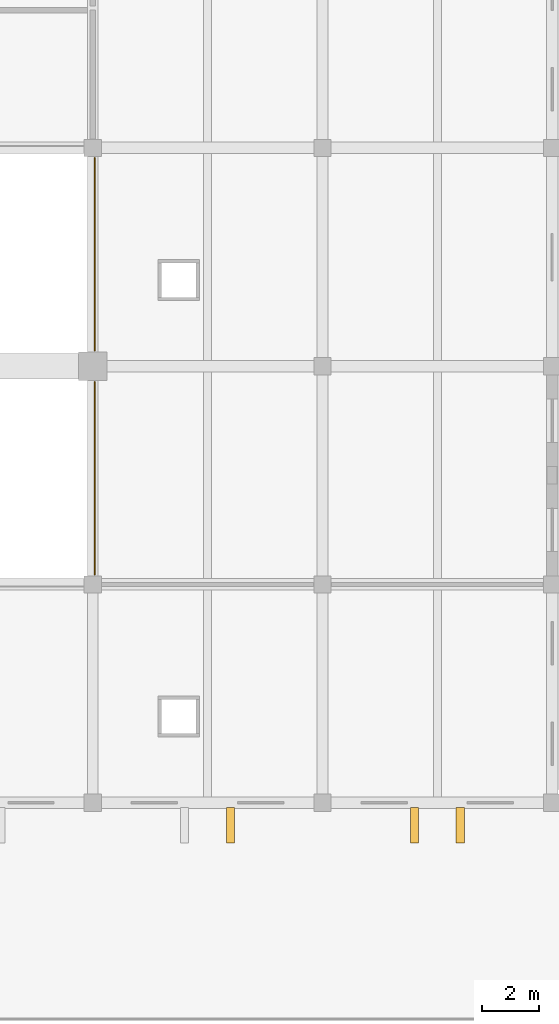
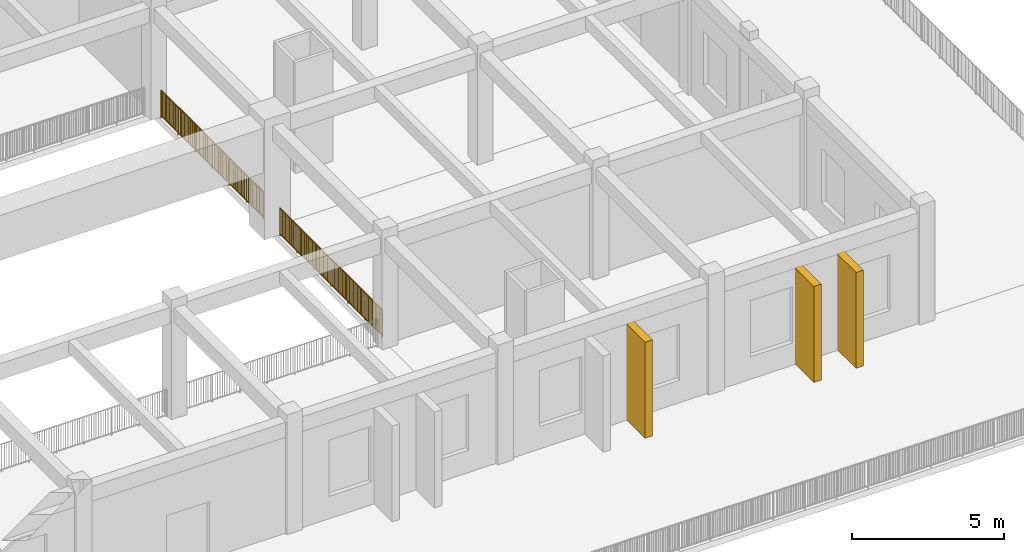
# One storey, part 100 of 101: 3 shading devices, 2 railings.
"""IFC4 building model written with IfcOpenShell, lengths in metres."""

from ifc_helpers import new_model, si_unit, direction, frame, origin, origin_2d, place, context, subcontext, project, spatial, rectangle, circle, extrude, material, type_object, element, save


model = new_model("IFC4")

# Units and contexts
model_context = context("Model", 3, precision=1e-05, world=origin(), true_north=direction((0.0, 1.0)))
body_context = subcontext(model_context, "Body", "Model", "MODEL_VIEW")
ifc_project = project(units=[si_unit("LENGTHUNIT", "METRE"), si_unit("AREAUNIT", "SQUARE_METRE"), si_unit("VOLUMEUNIT", "CUBIC_METRE"), si_unit("PLANEANGLEUNIT", "RADIAN"), si_unit("MASSUNIT", "GRAM", prefix="KILO")], contexts=[model_context])

# Site, building, storey
site_placement = place(None, origin())
site = spatial("IfcSite", under=ifc_project, at=site_placement, CompositionType="ELEMENT")
building_placement = place(site_placement, origin())
building = spatial("IfcBuilding", under=site, at=building_placement, Name="Zantavel Square City Hall", CompositionType="ELEMENT")
storey_placement = place(building_placement, frame((0.0, 0.0, 5.39990234375)))
storey = spatial("IfcBuildingStorey", under=building, at=storey_placement, Name="L02", CompositionType="ELEMENT", Elevation=5.39990234375)

# Railings
ifc_material_1 = material(Name="Steel ASTM A500 Grade B", Category="steel")
railing_type = type_object("IfcRailingType", Name="Atrium & Gallery Steel Guard Railing 1100mm", PredefinedType="GUARDRAIL", material=ifc_material_1)
railing_1_placement = place(storey_placement, frame((144.070068359375, 15.5400390625, 0.0)))
element("IfcRailing", 1, at=railing_1_placement, inside=storey, type_object=railing_type, Name="L02 Atrium Void Guard 025", PredefinedType="GUARDRAIL", context=body_context, shape_type="SweptSolid", body=[
    extrude(circle(Radius=0.02392578125, at=origin_2d()), frame((0.0, 0.0, 1.09619140625), z_axis=(0.0, 1.0, 0.0), x_axis=(-1.0, 0.0, 0.0)), (0.0, 0.0, 1.0), 6.719970703125),
    extrude(rectangle(XDim=0.031982421875, YDim=0.031982421875, at=origin_2d()), frame((0.0, 0.0, 0.080078125), z_axis=(0.0, 1.0, 0.0), x_axis=(-1.0, 0.0, 0.0)), (0.0, 0.0, 1.0), 6.719970703125),
    extrude(rectangle(XDim=0.02197265625, YDim=0.02197265625, at=origin_2d()), frame((0.0, 0.089599609375, 0.080078125)), (0.0, 0.0, 1.0), 0.991943359375),
    extrude(rectangle(XDim=0.02197265625, YDim=0.02197265625, at=origin_2d()), frame((0.0, 0.17919921875, 0.080078125)), (0.0, 0.0, 1.0), 0.991943359375),
    extrude(rectangle(XDim=0.02197265625, YDim=0.02197265625, at=origin_2d()), frame((0.0, 0.268798828125, 0.080078125)), (0.0, 0.0, 1.0), 0.991943359375),
    extrude(rectangle(XDim=0.02197265625, YDim=0.02197265625, at=origin_2d()), frame((0.0, 0.3583984375, 0.080078125)), (0.0, 0.0, 1.0), 0.991943359375),
    extrude(rectangle(XDim=0.02197265625, YDim=0.02197265625, at=origin_2d()), frame((0.0, 0.447998046875, 0.080078125)), (0.0, 0.0, 1.0), 0.991943359375),
    extrude(rectangle(XDim=0.02197265625, YDim=0.02197265625, at=origin_2d()), frame((0.0, 0.53759765625, 0.080078125)), (0.0, 0.0, 1.0), 0.991943359375),
    extrude(rectangle(XDim=0.02197265625, YDim=0.02197265625, at=origin_2d()), frame((0.0, 0.627197265625, 0.080078125)), (0.0, 0.0, 1.0), 0.991943359375),
    extrude(rectangle(XDim=0.02197265625, YDim=0.02197265625, at=origin_2d()), frame((0.0, 0.716796875, 0.080078125)), (0.0, 0.0, 1.0), 0.991943359375),
    extrude(rectangle(XDim=0.02197265625, YDim=0.02197265625, at=origin_2d()), frame((0.0, 0.806396484375, 0.080078125)), (0.0, 0.0, 1.0), 0.991943359375),
    extrude(rectangle(XDim=0.02197265625, YDim=0.02197265625, at=origin_2d()), frame((0.0, 0.89599609375, 0.080078125)), (0.0, 0.0, 1.0), 0.991943359375),
    extrude(rectangle(XDim=0.02197265625, YDim=0.02197265625, at=origin_2d()), frame((0.0, 0.985595703125, 0.080078125)), (0.0, 0.0, 1.0), 0.991943359375),
    extrude(rectangle(XDim=0.02197265625, YDim=0.02197265625, at=origin_2d()), frame((0.0, 1.25439453125, 0.080078125)), (0.0, 0.0, 1.0), 0.991943359375),
    extrude(rectangle(XDim=0.02197265625, YDim=0.02197265625, at=origin_2d()), frame((0.0, 1.343994140625, 0.080078125)), (0.0, 0.0, 1.0), 0.991943359375),
    extrude(rectangle(XDim=0.02197265625, YDim=0.02197265625, at=origin_2d()), frame((0.0, 1.43359375, 0.080078125)), (0.0, 0.0, 1.0), 0.991943359375),
    extrude(rectangle(XDim=0.02197265625, YDim=0.02197265625, at=origin_2d()), frame((0.0, 1.523193359375, 0.080078125)), (0.0, 0.0, 1.0), 0.991943359375),
    extrude(rectangle(XDim=0.02197265625, YDim=0.02197265625, at=origin_2d()), frame((0.0, 1.61279296875, 0.080078125)), (0.0, 0.0, 1.0), 0.991943359375),
    extrude(rectangle(XDim=0.02197265625, YDim=0.02197265625, at=origin_2d()), frame((0.0, 1.702392578125, 0.080078125)), (0.0, 0.0, 1.0), 0.991943359375),
    extrude(rectangle(XDim=0.02197265625, YDim=0.02197265625, at=origin_2d()), frame((0.0, 1.7919921875, 0.080078125)), (0.0, 0.0, 1.0), 0.991943359375),
    extrude(rectangle(XDim=0.02197265625, YDim=0.02197265625, at=origin_2d()), frame((0.0, 1.881591796875, 0.080078125)), (0.0, 0.0, 1.0), 0.991943359375),
    extrude(rectangle(XDim=0.02197265625, YDim=0.02197265625, at=origin_2d()), frame((0.0, 1.97119140625, 0.080078125)), (0.0, 0.0, 1.0), 0.991943359375),
    extrude(rectangle(XDim=0.02197265625, YDim=0.02197265625, at=origin_2d()), frame((0.0, 2.060791015625, 0.080078125)), (0.0, 0.0, 1.0), 0.991943359375),
    extrude(rectangle(XDim=0.02197265625, YDim=0.02197265625, at=origin_2d()), frame((0.0, 2.150390625, 0.080078125)), (0.0, 0.0, 1.0), 0.991943359375),
    extrude(rectangle(XDim=0.02197265625, YDim=0.02197265625, at=origin_2d()), frame((0.0, 2.32958984375, 0.080078125)), (0.0, 0.0, 1.0), 0.991943359375),
    extrude(rectangle(XDim=0.02197265625, YDim=0.02197265625, at=origin_2d()), frame((0.0, 2.419189453125, 0.080078125)), (0.0, 0.0, 1.0), 0.991943359375),
    extrude(rectangle(XDim=0.02197265625, YDim=0.02197265625, at=origin_2d()), frame((0.0, 2.5087890625, 0.080078125)), (0.0, 0.0, 1.0), 0.991943359375),
    extrude(rectangle(XDim=0.02197265625, YDim=0.02197265625, at=origin_2d()), frame((0.0, 2.598388671875, 0.080078125)), (0.0, 0.0, 1.0), 0.991943359375),
    extrude(rectangle(XDim=0.02197265625, YDim=0.02197265625, at=origin_2d()), frame((0.0, 2.68798828125, 0.080078125)), (0.0, 0.0, 1.0), 0.991943359375),
    extrude(rectangle(XDim=0.02197265625, YDim=0.02197265625, at=origin_2d()), frame((0.0, 2.777587890625, 0.080078125)), (0.0, 0.0, 1.0), 0.991943359375),
    extrude(rectangle(XDim=0.02197265625, YDim=0.02197265625, at=origin_2d()), frame((0.0, 2.8671875, 0.080078125)), (0.0, 0.0, 1.0), 0.991943359375),
    extrude(rectangle(XDim=0.02197265625, YDim=0.02197265625, at=origin_2d()), frame((0.0, 2.956787109375, 0.080078125)), (0.0, 0.0, 1.0), 0.991943359375),
    extrude(rectangle(XDim=0.02197265625, YDim=0.02197265625, at=origin_2d()), frame((0.0, 3.04638671875, 0.080078125)), (0.0, 0.0, 1.0), 0.991943359375),
    extrude(rectangle(XDim=0.02197265625, YDim=0.02197265625, at=origin_2d()), frame((0.0, 3.135986328125, 0.080078125)), (0.0, 0.0, 1.0), 0.991943359375),
    extrude(rectangle(XDim=0.02197265625, YDim=0.02197265625, at=origin_2d()), frame((0.0, 3.2255859375, 0.080078125)), (0.0, 0.0, 1.0), 0.991943359375),
    extrude(rectangle(XDim=0.02197265625, YDim=0.02197265625, at=origin_2d()), frame((0.0, 3.494384765625, 0.080078125)), (0.0, 0.0, 1.0), 0.991943359375),
    extrude(rectangle(XDim=0.02197265625, YDim=0.02197265625, at=origin_2d()), frame((0.0, 3.583984375, 0.080078125)), (0.0, 0.0, 1.0), 0.991943359375),
    extrude(rectangle(XDim=0.02197265625, YDim=0.02197265625, at=origin_2d()), frame((0.0, 3.673583984375, 0.080078125)), (0.0, 0.0, 1.0), 0.991943359375),
    extrude(rectangle(XDim=0.02197265625, YDim=0.02197265625, at=origin_2d()), frame((0.0, 3.76318359375, 0.080078125)), (0.0, 0.0, 1.0), 0.991943359375),
    extrude(rectangle(XDim=0.02197265625, YDim=0.02197265625, at=origin_2d()), frame((0.0, 3.852783203125, 0.080078125)), (0.0, 0.0, 1.0), 0.991943359375),
    extrude(rectangle(XDim=0.02197265625, YDim=0.02197265625, at=origin_2d()), frame((0.0, 3.9423828125, 0.080078125)), (0.0, 0.0, 1.0), 0.991943359375),
    extrude(rectangle(XDim=0.02197265625, YDim=0.02197265625, at=origin_2d()), frame((0.0, 4.031982421875, 0.080078125)), (0.0, 0.0, 1.0), 0.991943359375),
    extrude(rectangle(XDim=0.02197265625, YDim=0.02197265625, at=origin_2d()), frame((0.0, 4.12158203125, 0.080078125)), (0.0, 0.0, 1.0), 0.991943359375),
    extrude(rectangle(XDim=0.02197265625, YDim=0.02197265625, at=origin_2d()), frame((0.0, 4.211181640625, 0.080078125)), (0.0, 0.0, 1.0), 0.991943359375),
    extrude(rectangle(XDim=0.02197265625, YDim=0.02197265625, at=origin_2d()), frame((0.0, 4.30078125, 0.080078125)), (0.0, 0.0, 1.0), 0.991943359375),
    extrude(rectangle(XDim=0.02197265625, YDim=0.02197265625, at=origin_2d()), frame((0.0, 4.390380859375, 0.080078125)), (0.0, 0.0, 1.0), 0.991943359375),
    extrude(rectangle(XDim=0.02197265625, YDim=0.02197265625, at=origin_2d()), frame((0.0, 4.569580078125, 0.080078125)), (0.0, 0.0, 1.0), 0.991943359375),
    extrude(rectangle(XDim=0.02197265625, YDim=0.02197265625, at=origin_2d()), frame((0.0, 4.6591796875, 0.080078125)), (0.0, 0.0, 1.0), 0.991943359375),
    extrude(rectangle(XDim=0.02197265625, YDim=0.02197265625, at=origin_2d()), frame((0.0, 4.748779296875, 0.080078125)), (0.0, 0.0, 1.0), 0.991943359375),
    extrude(rectangle(XDim=0.02197265625, YDim=0.02197265625, at=origin_2d()), frame((0.0, 4.83837890625, 0.080078125)), (0.0, 0.0, 1.0), 0.991943359375),
    extrude(rectangle(XDim=0.02197265625, YDim=0.02197265625, at=origin_2d()), frame((0.0, 4.927978515625, 0.080078125)), (0.0, 0.0, 1.0), 0.991943359375),
    extrude(rectangle(XDim=0.02197265625, YDim=0.02197265625, at=origin_2d()), frame((0.0, 5.017578125, 0.080078125)), (0.0, 0.0, 1.0), 0.991943359375),
    extrude(rectangle(XDim=0.02197265625, YDim=0.02197265625, at=origin_2d()), frame((0.0, 5.107177734375, 0.080078125)), (0.0, 0.0, 1.0), 0.991943359375),
    extrude(rectangle(XDim=0.02197265625, YDim=0.02197265625, at=origin_2d()), frame((0.0, 5.19677734375, 0.080078125)), (0.0, 0.0, 1.0), 0.991943359375),
    extrude(rectangle(XDim=0.02197265625, YDim=0.02197265625, at=origin_2d()), frame((0.0, 5.286376953125, 0.080078125)), (0.0, 0.0, 1.0), 0.991943359375),
    extrude(rectangle(XDim=0.02197265625, YDim=0.02197265625, at=origin_2d()), frame((0.0, 5.3759765625, 0.080078125)), (0.0, 0.0, 1.0), 0.991943359375),
    extrude(rectangle(XDim=0.02197265625, YDim=0.02197265625, at=origin_2d()), frame((0.0, 5.465576171875, 0.080078125)), (0.0, 0.0, 1.0), 0.991943359375),
    extrude(rectangle(XDim=0.02197265625, YDim=0.02197265625, at=origin_2d()), frame((0.0, 5.734375, 0.080078125)), (0.0, 0.0, 1.0), 0.991943359375),
    extrude(rectangle(XDim=0.02197265625, YDim=0.02197265625, at=origin_2d()), frame((0.0, 5.823974609375, 0.080078125)), (0.0, 0.0, 1.0), 0.991943359375),
    extrude(rectangle(XDim=0.02197265625, YDim=0.02197265625, at=origin_2d()), frame((0.0, 5.91357421875, 0.080078125)), (0.0, 0.0, 1.0), 0.991943359375),
    extrude(rectangle(XDim=0.02197265625, YDim=0.02197265625, at=origin_2d()), frame((0.0, 6.003173828125, 0.080078125)), (0.0, 0.0, 1.0), 0.991943359375),
    extrude(rectangle(XDim=0.02197265625, YDim=0.02197265625, at=origin_2d()), frame((0.0, 6.0927734375, 0.080078125)), (0.0, 0.0, 1.0), 0.991943359375),
    extrude(rectangle(XDim=0.02197265625, YDim=0.02197265625, at=origin_2d()), frame((0.0, 6.182373046875, 0.080078125)), (0.0, 0.0, 1.0), 0.991943359375),
    extrude(rectangle(XDim=0.02197265625, YDim=0.02197265625, at=origin_2d()), frame((0.0, 6.27197265625, 0.080078125)), (0.0, 0.0, 1.0), 0.991943359375),
    extrude(rectangle(XDim=0.02197265625, YDim=0.02197265625, at=origin_2d()), frame((0.0, 6.361572265625, 0.080078125)), (0.0, 0.0, 1.0), 0.991943359375),
    extrude(rectangle(XDim=0.02197265625, YDim=0.02197265625, at=origin_2d()), frame((0.0, 6.451171875, 0.080078125)), (0.0, 0.0, 1.0), 0.991943359375),
    extrude(rectangle(XDim=0.02197265625, YDim=0.02197265625, at=origin_2d()), frame((0.0, 6.540771484375, 0.080078125)), (0.0, 0.0, 1.0), 0.991943359375),
    extrude(rectangle(XDim=0.02197265625, YDim=0.02197265625, at=origin_2d()), frame((0.0, 6.63037109375, 0.080078125)), (0.0, 0.0, 1.0), 0.991943359375),
    extrude(circle(Radius=0.02099609375, at=origin_2d()), origin(), (0.0, 0.0, 1.0), 1.072021484375),
    extrude(circle(Radius=0.02099609375, at=origin_2d()), frame((0.0, 1.1201171875, 0.0)), (0.0, 0.0, 1.0), 1.072021484375),
    extrude(circle(Radius=0.02099609375, at=origin_2d()), frame((0.0, 2.239990234375, 0.0)), (0.0, 0.0, 1.0), 1.072021484375),
    extrude(circle(Radius=0.02099609375, at=origin_2d()), frame((0.0, 3.35986328125, 0.0)), (0.0, 0.0, 1.0), 1.072021484375),
    extrude(circle(Radius=0.02099609375, at=origin_2d()), frame((0.0, 4.47998046875, 0.0)), (0.0, 0.0, 1.0), 1.072021484375),
    extrude(circle(Radius=0.02099609375, at=origin_2d()), frame((0.0, 5.60009765625, 0.0)), (0.0, 0.0, 1.0), 1.072021484375),
    extrude(circle(Radius=0.02099609375, at=origin_2d()), frame((0.0, 6.719970703125, 0.0)), (0.0, 0.0, 1.0), 1.072021484375),
])
railing_2_placement = place(storey_placement, frame((144.070068359375, 23.340087890625, 0.0)))
element("IfcRailing", 2, at=railing_2_placement, inside=storey, type_object=railing_type, Name="L02 Atrium Void Guard 026", PredefinedType="GUARDRAIL", context=body_context, shape_type="SweptSolid", body=[
    extrude(circle(Radius=0.02392578125, at=origin_2d()), frame((0.0, 0.0, 1.09619140625), z_axis=(0.0, 1.0, 0.0), x_axis=(-1.0, 0.0, 0.0)), (0.0, 0.0, 1.0), 6.719970703125),
    extrude(rectangle(XDim=0.031982421875, YDim=0.031982421875, at=origin_2d()), frame((0.0, 0.0, 0.080078125), z_axis=(0.0, 1.0, 0.0), x_axis=(-1.0, 0.0, 0.0)), (0.0, 0.0, 1.0), 6.719970703125),
    extrude(rectangle(XDim=0.02197265625, YDim=0.02197265625, at=origin_2d()), frame((0.0, 0.089599609375, 0.080078125)), (0.0, 0.0, 1.0), 0.991943359375),
    extrude(rectangle(XDim=0.02197265625, YDim=0.02197265625, at=origin_2d()), frame((0.0, 0.17919921875, 0.080078125)), (0.0, 0.0, 1.0), 0.991943359375),
    extrude(rectangle(XDim=0.02197265625, YDim=0.02197265625, at=origin_2d()), frame((0.0, 0.268798828125, 0.080078125)), (0.0, 0.0, 1.0), 0.991943359375),
    extrude(rectangle(XDim=0.02197265625, YDim=0.02197265625, at=origin_2d()), frame((0.0, 0.3583984375, 0.080078125)), (0.0, 0.0, 1.0), 0.991943359375),
    extrude(rectangle(XDim=0.02197265625, YDim=0.02197265625, at=origin_2d()), frame((0.0, 0.447998046875, 0.080078125)), (0.0, 0.0, 1.0), 0.991943359375),
    extrude(rectangle(XDim=0.02197265625, YDim=0.02197265625, at=origin_2d()), frame((0.0, 0.53759765625, 0.080078125)), (0.0, 0.0, 1.0), 0.991943359375),
    extrude(rectangle(XDim=0.02197265625, YDim=0.02197265625, at=origin_2d()), frame((0.0, 0.627197265625, 0.080078125)), (0.0, 0.0, 1.0), 0.991943359375),
    extrude(rectangle(XDim=0.02197265625, YDim=0.02197265625, at=origin_2d()), frame((0.0, 0.716796875, 0.080078125)), (0.0, 0.0, 1.0), 0.991943359375),
    extrude(rectangle(XDim=0.02197265625, YDim=0.02197265625, at=origin_2d()), frame((0.0, 0.806396484375, 0.080078125)), (0.0, 0.0, 1.0), 0.991943359375),
    extrude(rectangle(XDim=0.02197265625, YDim=0.02197265625, at=origin_2d()), frame((0.0, 0.89599609375, 0.080078125)), (0.0, 0.0, 1.0), 0.991943359375),
    extrude(rectangle(XDim=0.02197265625, YDim=0.02197265625, at=origin_2d()), frame((0.0, 0.985595703125, 0.080078125)), (0.0, 0.0, 1.0), 0.991943359375),
    extrude(rectangle(XDim=0.02197265625, YDim=0.02197265625, at=origin_2d()), frame((0.0, 1.25439453125, 0.080078125)), (0.0, 0.0, 1.0), 0.991943359375),
    extrude(rectangle(XDim=0.02197265625, YDim=0.02197265625, at=origin_2d()), frame((0.0, 1.343994140625, 0.080078125)), (0.0, 0.0, 1.0), 0.991943359375),
    extrude(rectangle(XDim=0.02197265625, YDim=0.02197265625, at=origin_2d()), frame((0.0, 1.43359375, 0.080078125)), (0.0, 0.0, 1.0), 0.991943359375),
    extrude(rectangle(XDim=0.02197265625, YDim=0.02197265625, at=origin_2d()), frame((0.0, 1.523193359375, 0.080078125)), (0.0, 0.0, 1.0), 0.991943359375),
    extrude(rectangle(XDim=0.02197265625, YDim=0.02197265625, at=origin_2d()), frame((0.0, 1.61279296875, 0.080078125)), (0.0, 0.0, 1.0), 0.991943359375),
    extrude(rectangle(XDim=0.02197265625, YDim=0.02197265625, at=origin_2d()), frame((0.0, 1.702392578125, 0.080078125)), (0.0, 0.0, 1.0), 0.991943359375),
    extrude(rectangle(XDim=0.02197265625, YDim=0.02197265625, at=origin_2d()), frame((0.0, 1.7919921875, 0.080078125)), (0.0, 0.0, 1.0), 0.991943359375),
    extrude(rectangle(XDim=0.02197265625, YDim=0.02197265625, at=origin_2d()), frame((0.0, 1.881591796875, 0.080078125)), (0.0, 0.0, 1.0), 0.991943359375),
    extrude(rectangle(XDim=0.02197265625, YDim=0.02197265625, at=origin_2d()), frame((0.0, 1.97119140625, 0.080078125)), (0.0, 0.0, 1.0), 0.991943359375),
    extrude(rectangle(XDim=0.02197265625, YDim=0.02197265625, at=origin_2d()), frame((0.0, 2.060791015625, 0.080078125)), (0.0, 0.0, 1.0), 0.991943359375),
    extrude(rectangle(XDim=0.02197265625, YDim=0.02197265625, at=origin_2d()), frame((0.0, 2.150390625, 0.080078125)), (0.0, 0.0, 1.0), 0.991943359375),
    extrude(rectangle(XDim=0.02197265625, YDim=0.02197265625, at=origin_2d()), frame((0.0, 2.32958984375, 0.080078125)), (0.0, 0.0, 1.0), 0.991943359375),
    extrude(rectangle(XDim=0.02197265625, YDim=0.02197265625, at=origin_2d()), frame((0.0, 2.419189453125, 0.080078125)), (0.0, 0.0, 1.0), 0.991943359375),
    extrude(rectangle(XDim=0.02197265625, YDim=0.02197265625, at=origin_2d()), frame((0.0, 2.5087890625, 0.080078125)), (0.0, 0.0, 1.0), 0.991943359375),
    extrude(rectangle(XDim=0.02197265625, YDim=0.02197265625, at=origin_2d()), frame((0.0, 2.598388671875, 0.080078125)), (0.0, 0.0, 1.0), 0.991943359375),
    extrude(rectangle(XDim=0.02197265625, YDim=0.02197265625, at=origin_2d()), frame((0.0, 2.68798828125, 0.080078125)), (0.0, 0.0, 1.0), 0.991943359375),
    extrude(rectangle(XDim=0.02197265625, YDim=0.02197265625, at=origin_2d()), frame((0.0, 2.777587890625, 0.080078125)), (0.0, 0.0, 1.0), 0.991943359375),
    extrude(rectangle(XDim=0.02197265625, YDim=0.02197265625, at=origin_2d()), frame((0.0, 2.8671875, 0.080078125)), (0.0, 0.0, 1.0), 0.991943359375),
    extrude(rectangle(XDim=0.02197265625, YDim=0.02197265625, at=origin_2d()), frame((0.0, 2.956787109375, 0.080078125)), (0.0, 0.0, 1.0), 0.991943359375),
    extrude(rectangle(XDim=0.02197265625, YDim=0.02197265625, at=origin_2d()), frame((0.0, 3.04638671875, 0.080078125)), (0.0, 0.0, 1.0), 0.991943359375),
    extrude(rectangle(XDim=0.02197265625, YDim=0.02197265625, at=origin_2d()), frame((0.0, 3.135986328125, 0.080078125)), (0.0, 0.0, 1.0), 0.991943359375),
    extrude(rectangle(XDim=0.02197265625, YDim=0.02197265625, at=origin_2d()), frame((0.0, 3.2255859375, 0.080078125)), (0.0, 0.0, 1.0), 0.991943359375),
    extrude(rectangle(XDim=0.02197265625, YDim=0.02197265625, at=origin_2d()), frame((0.0, 3.494384765625, 0.080078125)), (0.0, 0.0, 1.0), 0.991943359375),
    extrude(rectangle(XDim=0.02197265625, YDim=0.02197265625, at=origin_2d()), frame((0.0, 3.583984375, 0.080078125)), (0.0, 0.0, 1.0), 0.991943359375),
    extrude(rectangle(XDim=0.02197265625, YDim=0.02197265625, at=origin_2d()), frame((0.0, 3.673583984375, 0.080078125)), (0.0, 0.0, 1.0), 0.991943359375),
    extrude(rectangle(XDim=0.02197265625, YDim=0.02197265625, at=origin_2d()), frame((0.0, 3.76318359375, 0.080078125)), (0.0, 0.0, 1.0), 0.991943359375),
    extrude(rectangle(XDim=0.02197265625, YDim=0.02197265625, at=origin_2d()), frame((0.0, 3.852783203125, 0.080078125)), (0.0, 0.0, 1.0), 0.991943359375),
    extrude(rectangle(XDim=0.02197265625, YDim=0.02197265625, at=origin_2d()), frame((0.0, 3.9423828125, 0.080078125)), (0.0, 0.0, 1.0), 0.991943359375),
    extrude(rectangle(XDim=0.02197265625, YDim=0.02197265625, at=origin_2d()), frame((0.0, 4.031982421875, 0.080078125)), (0.0, 0.0, 1.0), 0.991943359375),
    extrude(rectangle(XDim=0.02197265625, YDim=0.02197265625, at=origin_2d()), frame((0.0, 4.12158203125, 0.080078125)), (0.0, 0.0, 1.0), 0.991943359375),
    extrude(rectangle(XDim=0.02197265625, YDim=0.02197265625, at=origin_2d()), frame((0.0, 4.211181640625, 0.080078125)), (0.0, 0.0, 1.0), 0.991943359375),
    extrude(rectangle(XDim=0.02197265625, YDim=0.02197265625, at=origin_2d()), frame((0.0, 4.30078125, 0.080078125)), (0.0, 0.0, 1.0), 0.991943359375),
    extrude(rectangle(XDim=0.02197265625, YDim=0.02197265625, at=origin_2d()), frame((0.0, 4.390380859375, 0.080078125)), (0.0, 0.0, 1.0), 0.991943359375),
    extrude(rectangle(XDim=0.02197265625, YDim=0.02197265625, at=origin_2d()), frame((0.0, 4.569580078125, 0.080078125)), (0.0, 0.0, 1.0), 0.991943359375),
    extrude(rectangle(XDim=0.02197265625, YDim=0.02197265625, at=origin_2d()), frame((0.0, 4.6591796875, 0.080078125)), (0.0, 0.0, 1.0), 0.991943359375),
    extrude(rectangle(XDim=0.02197265625, YDim=0.02197265625, at=origin_2d()), frame((0.0, 4.748779296875, 0.080078125)), (0.0, 0.0, 1.0), 0.991943359375),
    extrude(rectangle(XDim=0.02197265625, YDim=0.02197265625, at=origin_2d()), frame((0.0, 4.83837890625, 0.080078125)), (0.0, 0.0, 1.0), 0.991943359375),
    extrude(rectangle(XDim=0.02197265625, YDim=0.02197265625, at=origin_2d()), frame((0.0, 4.927978515625, 0.080078125)), (0.0, 0.0, 1.0), 0.991943359375),
    extrude(rectangle(XDim=0.02197265625, YDim=0.02197265625, at=origin_2d()), frame((0.0, 5.017578125, 0.080078125)), (0.0, 0.0, 1.0), 0.991943359375),
    extrude(rectangle(XDim=0.02197265625, YDim=0.02197265625, at=origin_2d()), frame((0.0, 5.107177734375, 0.080078125)), (0.0, 0.0, 1.0), 0.991943359375),
    extrude(rectangle(XDim=0.02197265625, YDim=0.02197265625, at=origin_2d()), frame((0.0, 5.19677734375, 0.080078125)), (0.0, 0.0, 1.0), 0.991943359375),
    extrude(rectangle(XDim=0.02197265625, YDim=0.02197265625, at=origin_2d()), frame((0.0, 5.286376953125, 0.080078125)), (0.0, 0.0, 1.0), 0.991943359375),
    extrude(rectangle(XDim=0.02197265625, YDim=0.02197265625, at=origin_2d()), frame((0.0, 5.3759765625, 0.080078125)), (0.0, 0.0, 1.0), 0.991943359375),
    extrude(rectangle(XDim=0.02197265625, YDim=0.02197265625, at=origin_2d()), frame((0.0, 5.465576171875, 0.080078125)), (0.0, 0.0, 1.0), 0.991943359375),
    extrude(rectangle(XDim=0.02197265625, YDim=0.02197265625, at=origin_2d()), frame((0.0, 5.734375, 0.080078125)), (0.0, 0.0, 1.0), 0.991943359375),
    extrude(rectangle(XDim=0.02197265625, YDim=0.02197265625, at=origin_2d()), frame((0.0, 5.823974609375, 0.080078125)), (0.0, 0.0, 1.0), 0.991943359375),
    extrude(rectangle(XDim=0.02197265625, YDim=0.02197265625, at=origin_2d()), frame((0.0, 5.91357421875, 0.080078125)), (0.0, 0.0, 1.0), 0.991943359375),
    extrude(rectangle(XDim=0.02197265625, YDim=0.02197265625, at=origin_2d()), frame((0.0, 6.003173828125, 0.080078125)), (0.0, 0.0, 1.0), 0.991943359375),
    extrude(rectangle(XDim=0.02197265625, YDim=0.02197265625, at=origin_2d()), frame((0.0, 6.0927734375, 0.080078125)), (0.0, 0.0, 1.0), 0.991943359375),
    extrude(rectangle(XDim=0.02197265625, YDim=0.02197265625, at=origin_2d()), frame((0.0, 6.182373046875, 0.080078125)), (0.0, 0.0, 1.0), 0.991943359375),
    extrude(rectangle(XDim=0.02197265625, YDim=0.02197265625, at=origin_2d()), frame((0.0, 6.27197265625, 0.080078125)), (0.0, 0.0, 1.0), 0.991943359375),
    extrude(rectangle(XDim=0.02197265625, YDim=0.02197265625, at=origin_2d()), frame((0.0, 6.361572265625, 0.080078125)), (0.0, 0.0, 1.0), 0.991943359375),
    extrude(rectangle(XDim=0.02197265625, YDim=0.02197265625, at=origin_2d()), frame((0.0, 6.451171875, 0.080078125)), (0.0, 0.0, 1.0), 0.991943359375),
    extrude(rectangle(XDim=0.02197265625, YDim=0.02197265625, at=origin_2d()), frame((0.0, 6.540771484375, 0.080078125)), (0.0, 0.0, 1.0), 0.991943359375),
    extrude(rectangle(XDim=0.02197265625, YDim=0.02197265625, at=origin_2d()), frame((0.0, 6.63037109375, 0.080078125)), (0.0, 0.0, 1.0), 0.991943359375),
    extrude(circle(Radius=0.02099609375, at=origin_2d()), origin(), (0.0, 0.0, 1.0), 1.072021484375),
    extrude(circle(Radius=0.02099609375, at=origin_2d()), frame((0.0, 1.1201171875, 0.0)), (0.0, 0.0, 1.0), 1.072021484375),
    extrude(circle(Radius=0.02099609375, at=origin_2d()), frame((0.0, 2.239990234375, 0.0)), (0.0, 0.0, 1.0), 1.072021484375),
    extrude(circle(Radius=0.02099609375, at=origin_2d()), frame((0.0, 3.35986328125, 0.0)), (0.0, 0.0, 1.0), 1.072021484375),
    extrude(circle(Radius=0.02099609375, at=origin_2d()), frame((0.0, 4.47998046875, 0.0)), (0.0, 0.0, 1.0), 1.072021484375),
    extrude(circle(Radius=0.02099609375, at=origin_2d()), frame((0.0, 5.60009765625, 0.0)), (0.0, 0.0, 1.0), 1.072021484375),
    extrude(circle(Radius=0.02099609375, at=origin_2d()), frame((0.0, 6.719970703125, 0.0)), (0.0, 0.0, 1.0), 1.072021484375),
])

# Shading devices
ifc_material_2 = material(Name="Cantera volcanic tuff stone", Category="masonry")
shading_device_type = type_object("IfcShadingDeviceType", Name="Cantera Vertical Solar Shading Pier 280x1240", PredefinedType="USERDEFINED", material=ifc_material_2)
for number, where, z_axis, x_axis, name in (
    (3, (156.800048828125, 6.820068359375, 0.0), (0.0, 0.0, 1.0), (1.0, 0.0, 0.0), "L02 Cantera Solar Pier 001"),
    (4, (155.199951171875, 6.820068359375, 0.0), (0.0, 0.0, 1.0), (1.0, 0.0, 0.0), "L02 Cantera Solar Pier 002"),
    (5, (148.800048828125, 6.820068359375, 0.0), (0.0, 0.0, 1.0), (1.0, 0.0, 0.0), "L02 Cantera Solar Pier 003"),
):
    element("IfcShadingDevice", number, at=place(storey_placement, frame(where, z_axis=z_axis, x_axis=x_axis)), inside=storey, type_object=shading_device_type, Name=name, ObjectType="FIN", PredefinedType="USERDEFINED", context=body_context, shape_type="SweptSolid", body=[
        extrude(rectangle(XDim=0.280029296875, YDim=1.239990234375, at=origin_2d()), origin(), (0.0, 0.0, 1.0), 3.85009765625),
    ])

save(model, "model.ifc")
